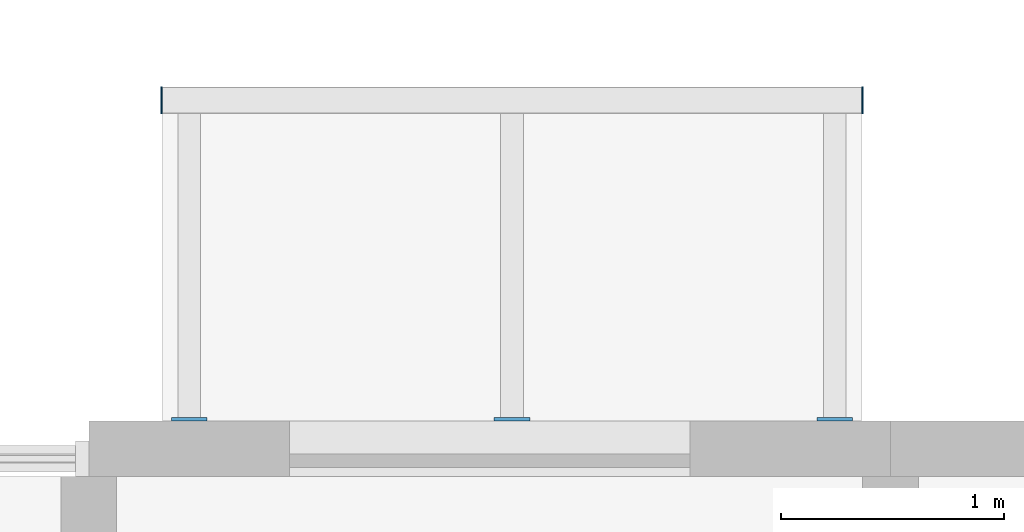
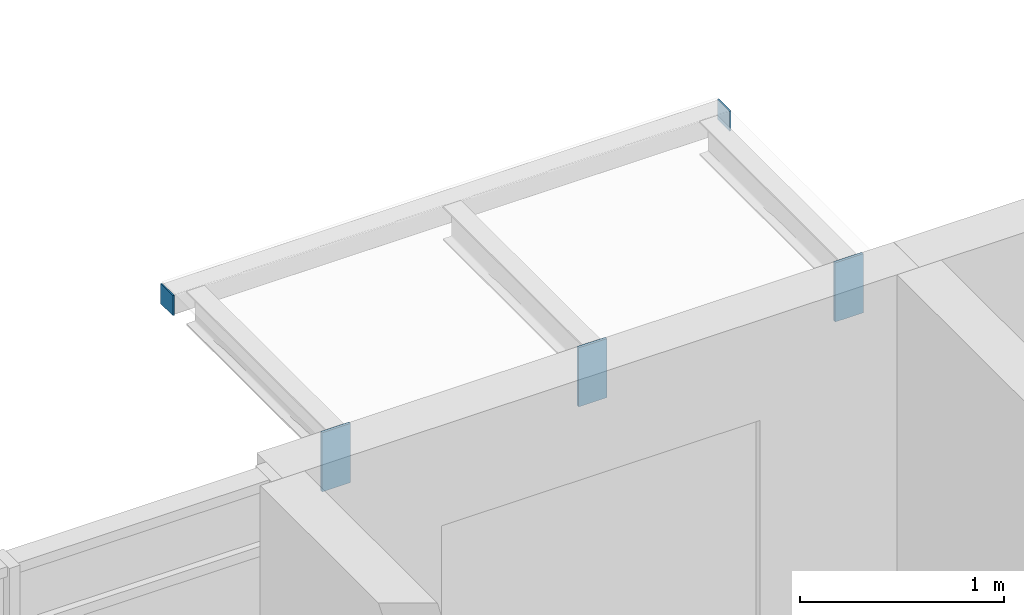
# One storey, part 70 of 99: 5 discrete accessories.
"""IFC4 building model written with IfcOpenShell, lengths in metres."""

from ifc_helpers import new_model, si_unit, direction, frame, origin, origin_2d, place, context, subcontext, project, spatial, rectangle, extrude, material, layer, layer_set, type_object, element, save


model = new_model("IFC4")

# Units and contexts
model_context = context("Model", 3, precision=1e-05, world=origin(), true_north=direction((0.0, 1.0)))
body_context = subcontext(model_context, "Body", "Model", "MODEL_VIEW")
ifc_project = project(units=[si_unit("LENGTHUNIT", "METRE"), si_unit("AREAUNIT", "SQUARE_METRE"), si_unit("VOLUMEUNIT", "CUBIC_METRE"), si_unit("PLANEANGLEUNIT", "RADIAN"), si_unit("MASSUNIT", "GRAM", prefix="KILO")], contexts=[model_context])

# Site, building, storey
site_placement = place(None, origin())
site = spatial("IfcSite", under=ifc_project, at=site_placement, CompositionType="ELEMENT")
building_placement = place(site_placement, origin())
building = spatial("IfcBuilding", under=site, at=building_placement, Name="Ridgestep Commons", CompositionType="ELEMENT")
storey_placement = place(building_placement, frame((0.0, 0.0, 15.0)))
storey = spatial("IfcBuildingStorey", under=building, at=storey_placement, Name="L05", CompositionType="ELEMENT", Elevation=15.0)

# Discrete accessories
ifc_material_1 = material(Name="Weathering steel S355J2W", Category="steel")
ifc_layer_1 = layer(ifc_material_1, 0.014892578125)
ifc_layer_set_1 = layer_set([ifc_layer_1], Name="Tray bracket plate 15")
discrete_accessory_type_1 = type_object("IfcDiscreteAccessoryType", Name="Tray bracket plate 15", PredefinedType="BRACKET", material=ifc_layer_set_1)
for number, where, z_axis, x_axis, name in (
    (1, (237.25, 23.007568359375, 2.63671875), (0.0, 0.0, 1.0), (1.0, 0.0, 0.0), "Tray bracket D6T3-06.1"),
    (2, (238.699951171875, 23.007568359375, 2.63671875), (0.0, 0.0, 1.0), (1.0, 0.0, 0.0), "Tray bracket D6T3-06.2"),
    (3, (240.14990234375, 23.007568359375, 2.63671875), (0.0, 0.0, 1.0), (1.0, 0.0, 0.0), "Tray bracket D6T3-06.3"),
):
    element("IfcDiscreteAccessory", number, at=place(storey_placement, frame(where, z_axis=z_axis, x_axis=x_axis)), inside=storey, type_object=discrete_accessory_type_1, Name=name, PredefinedType="BRACKET", context=body_context, shape_type="SweptSolid", body=[
        extrude(rectangle(XDim=0.159912109375, YDim=0.014892578125, at=origin_2d()), origin(), (0.0, 0.0, 1.0), 0.353271484375),
    ])
ifc_material_2 = material(Name="Weathering steel S355J2W", Category="steel")
ifc_layer_2 = layer(ifc_material_2, 0.008056640625)
ifc_layer_set_2 = layer_set([ifc_layer_2], Name="Tray edge member end plate 120 x 120 x 8")
discrete_accessory_type_2 = type_object("IfcDiscreteAccessoryType", Name="Tray edge member end plate 120 x 120 x 8", PredefinedType="BRACKET", material=ifc_layer_set_2)
for number, where, z_axis, x_axis, name in (
    (4, (237.1259765625, 24.43994140625, 2.869873046875), (0.0, 0.0, 1.0), (1.0, 0.0, 0.0), "Tray edge member end plate D6T3-06 west"),
    (5, (240.27392578125, 24.43994140625, 2.869873046875), (0.0, 0.0, 1.0), (1.0, 0.0, 0.0), "Tray edge member end plate D6T3-06 east"),
):
    element("IfcDiscreteAccessory", number, at=place(storey_placement, frame(where, z_axis=z_axis, x_axis=x_axis)), inside=storey, type_object=discrete_accessory_type_2, Name=name, PredefinedType="BRACKET", context=body_context, shape_type="SweptSolid", body=[
        extrude(rectangle(XDim=0.008056640625, YDim=0.1201171875, at=origin_2d()), origin(), (0.0, 0.0, 1.0), 0.1201171875),
    ])

save(model, "model.ifc")
